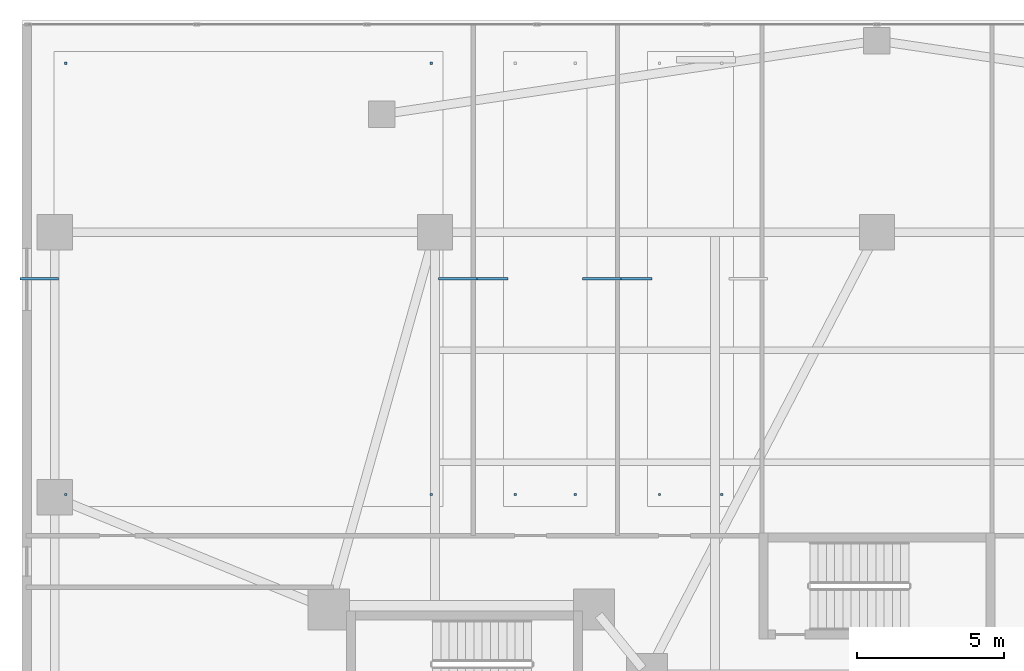
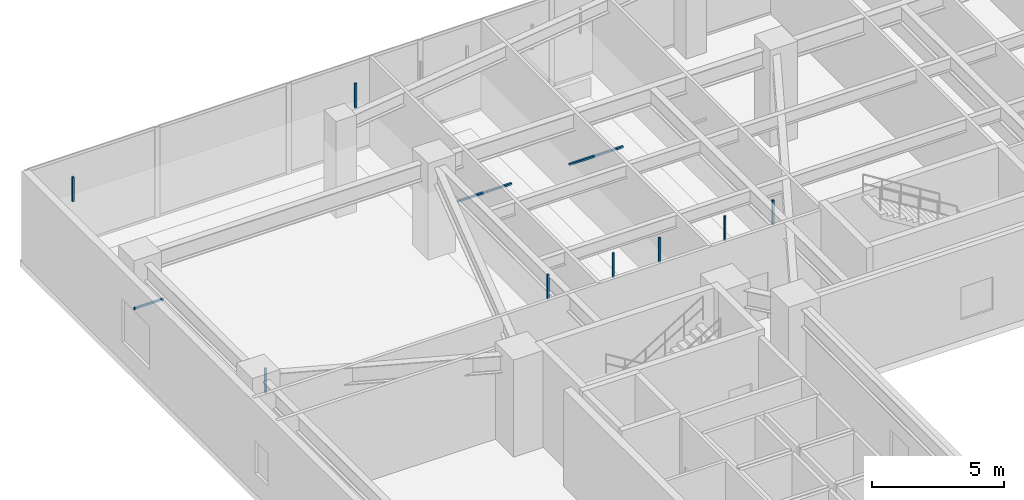
# One storey, part 21 of 27: 13 discrete accessories.
"""IFC4 building model written with IfcOpenShell, lengths in metres."""

from ifc_helpers import new_model, si_unit, direction, frame, origin, origin_2d, place, context, subcontext, project, spatial, rectangle, extrude, material, type_object, element, save


model = new_model("IFC4")

# Units and contexts
model_context = context("Model", 3, precision=1e-05, world=origin(), true_north=direction((0.0, 1.0)))
body_context = subcontext(model_context, "Body", "Model", "MODEL_VIEW")
ifc_project = project(units=[si_unit("LENGTHUNIT", "METRE"), si_unit("AREAUNIT", "SQUARE_METRE"), si_unit("VOLUMEUNIT", "CUBIC_METRE"), si_unit("PLANEANGLEUNIT", "RADIAN"), si_unit("MASSUNIT", "GRAM", prefix="KILO")], contexts=[model_context])

# Site, building, storey
site_placement = place(None, origin())
site = spatial("IfcSite", under=ifc_project, at=site_placement, CompositionType="ELEMENT")
building_placement = place(site_placement, origin())
building = spatial("IfcBuilding", under=site, at=building_placement, Name="Tarnavaz Court Tower", CompositionType="ELEMENT")
storey_placement = place(building_placement, frame((0.0, 0.0, 9.89990234375)))
storey = spatial("IfcBuildingStorey", under=building, at=storey_placement, Name="L02", CompositionType="ELEMENT", Elevation=9.89990234375)

# Discrete accessories
ifc_material = material(Name="Anodised Aluminium 6063-T6", Category="aluminium")
discrete_accessory_type = type_object("IfcDiscreteAccessoryType", Name="DA-BRKT-ALU", PredefinedType="BRACKET", material=ifc_material)
for number, where, z_axis, x_axis, name in (
    (1, (-27.530029296875, 13.89990234375, 3.09033203125), (0.0, 0.0, 1.0), (1.0, 0.0, 0.0), "L02 Ceiling Suspension Hanger Bracket 01-1"),
    (2, (-15.1298828125, 13.89990234375, 3.09033203125), (0.0, 0.0, 1.0), (1.0, 0.0, 0.0), "L02 Ceiling Suspension Hanger Bracket 01-2"),
    (3, (-15.1298828125, 28.530029296875, 3.09033203125), (0.0, 0.0, 1.0), (1.0, 0.0, 0.0), "L02 Ceiling Suspension Hanger Bracket 01-3"),
    (4, (-27.530029296875, 28.530029296875, 3.09033203125), (0.0, 0.0, 1.0), (1.0, 0.0, 0.0), "L02 Ceiling Suspension Hanger Bracket 01-4"),
):
    element("IfcDiscreteAccessory", number, at=place(storey_placement, frame(where, z_axis=z_axis, x_axis=x_axis)), inside=storey, type_object=discrete_accessory_type, Name=name, PredefinedType="BRACKET", context=body_context, shape_type="SweptSolid", body=[
        extrude(rectangle(XDim=0.080078125, YDim=0.080078125, at=origin_2d()), origin(), (0.0, 0.0, 1.0), 1.139892578125),
    ])
for number, where, z_axis, x_axis, name in (
    (5, (-28.429931640625, 21.215087890625, 3.052490234375), (0.0, 0.0, 1.0), (1.0, 0.0, 0.0), "L02 Ceiling Perimeter Wall-Tie Bracket 01-1"),
    (6, (-14.22998046875, 21.215087890625, 3.052490234375), (0.0, 0.0, 1.0), (1.0, 0.0, 0.0), "L02 Ceiling Perimeter Wall-Tie Bracket 01-2"),
):
    element("IfcDiscreteAccessory", number, at=place(storey_placement, frame(where, z_axis=z_axis, x_axis=x_axis)), inside=storey, type_object=discrete_accessory_type, Name=name, PredefinedType="BRACKET", context=body_context, shape_type="SweptSolid", body=[
        extrude(rectangle(XDim=1.300048828125, YDim=0.080078125, at=origin_2d()), origin(), (0.0, 0.0, 1.0), 0.080078125),
    ])
for number, where, z_axis, x_axis, name in (
    (7, (-12.27001953125, 13.89990234375, 3.09033203125), (0.0, 0.0, 1.0), (1.0, 0.0, 0.0), "L02 Ceiling Suspension Hanger Bracket 02-1"),
    (8, (-10.239990234375, 13.89990234375, 3.09033203125), (0.0, 0.0, 1.0), (1.0, 0.0, 0.0), "L02 Ceiling Suspension Hanger Bracket 02-2"),
):
    element("IfcDiscreteAccessory", number, at=place(storey_placement, frame(where, z_axis=z_axis, x_axis=x_axis)), inside=storey, type_object=discrete_accessory_type, Name=name, PredefinedType="BRACKET", context=body_context, shape_type="SweptSolid", body=[
        extrude(rectangle(XDim=0.080078125, YDim=0.080078125, at=origin_2d()), origin(), (0.0, 0.0, 1.0), 1.139892578125),
    ])
for number, where, z_axis, x_axis, name in (
    (9, (-13.169921875, 21.215087890625, 3.052490234375), (0.0, 0.0, 1.0), (1.0, 0.0, 0.0), "L02 Ceiling Perimeter Wall-Tie Bracket 02-1"),
    (10, (-9.340087890625, 21.215087890625, 3.052490234375), (0.0, 0.0, 1.0), (1.0, 0.0, 0.0), "L02 Ceiling Perimeter Wall-Tie Bracket 02-2"),
):
    element("IfcDiscreteAccessory", number, at=place(storey_placement, frame(where, z_axis=z_axis, x_axis=x_axis)), inside=storey, type_object=discrete_accessory_type, Name=name, PredefinedType="BRACKET", context=body_context, shape_type="SweptSolid", body=[
        extrude(rectangle(XDim=1.300048828125, YDim=0.080078125, at=origin_2d()), origin(), (0.0, 0.0, 1.0), 0.080078125),
    ])
for number, where, z_axis, x_axis, name in (
    (11, (-7.3798828125, 13.89990234375, 3.09033203125), (0.0, 0.0, 1.0), (1.0, 0.0, 0.0), "L02 Ceiling Suspension Hanger Bracket 03-1"),
    (12, (-5.27001953125, 13.89990234375, 3.09033203125), (0.0, 0.0, 1.0), (1.0, 0.0, 0.0), "L02 Ceiling Suspension Hanger Bracket 03-2"),
):
    element("IfcDiscreteAccessory", number, at=place(storey_placement, frame(where, z_axis=z_axis, x_axis=x_axis)), inside=storey, type_object=discrete_accessory_type, Name=name, PredefinedType="BRACKET", context=body_context, shape_type="SweptSolid", body=[
        extrude(rectangle(XDim=0.080078125, YDim=0.080078125, at=origin_2d()), origin(), (0.0, 0.0, 1.0), 1.139892578125),
    ])
discrete_accessory_placement = place(storey_placement, frame((-8.280029296875, 21.215087890625, 3.052490234375), z_axis=(0.0, 0.0, 1.0), x_axis=(1.0, 0.0, 0.0)))
element("IfcDiscreteAccessory", 13, at=discrete_accessory_placement, inside=storey, type_object=discrete_accessory_type, Name="L02 Ceiling Perimeter Wall-Tie Bracket 03-1", PredefinedType="BRACKET", context=body_context, shape_type="SweptSolid", body=[
    extrude(rectangle(XDim=1.300048828125, YDim=0.080078125, at=origin_2d()), origin(), (0.0, 0.0, 1.0), 0.080078125),
])

save(model, "model.ifc")
